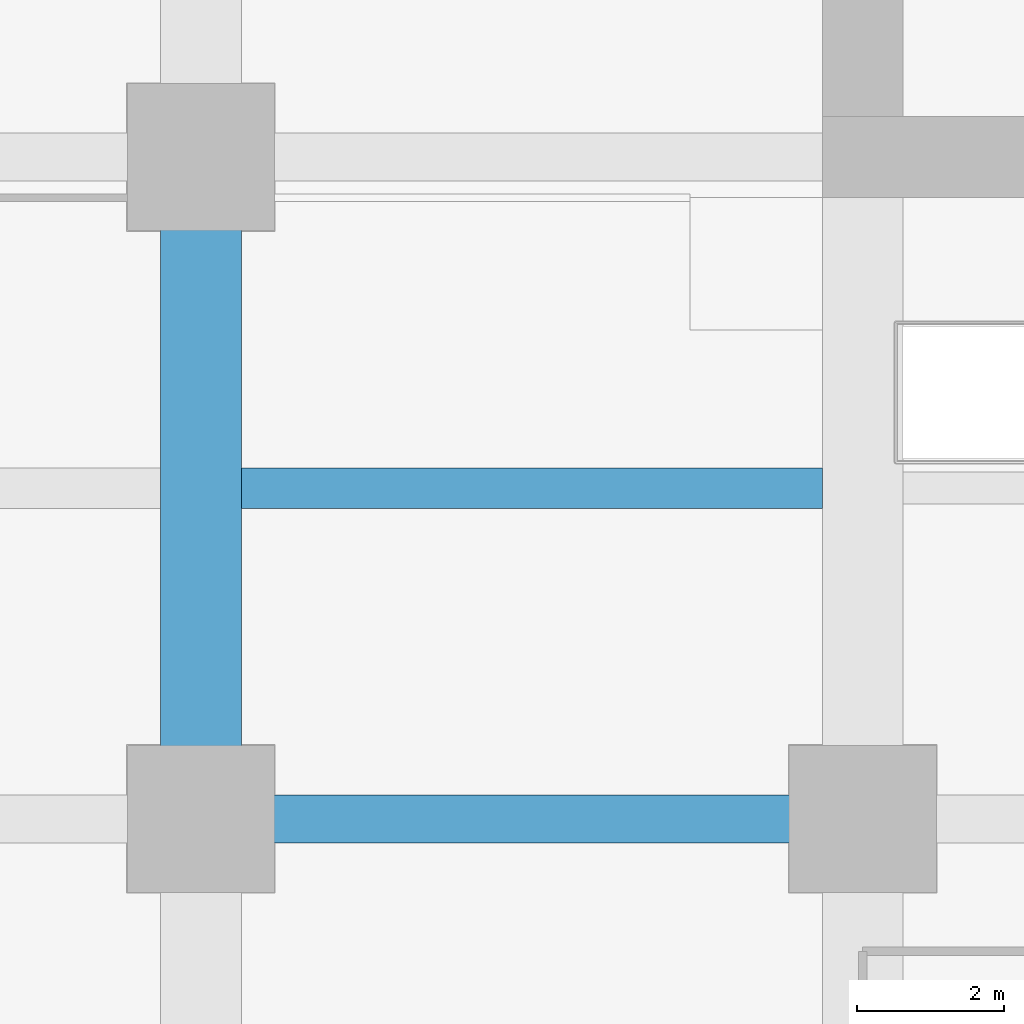
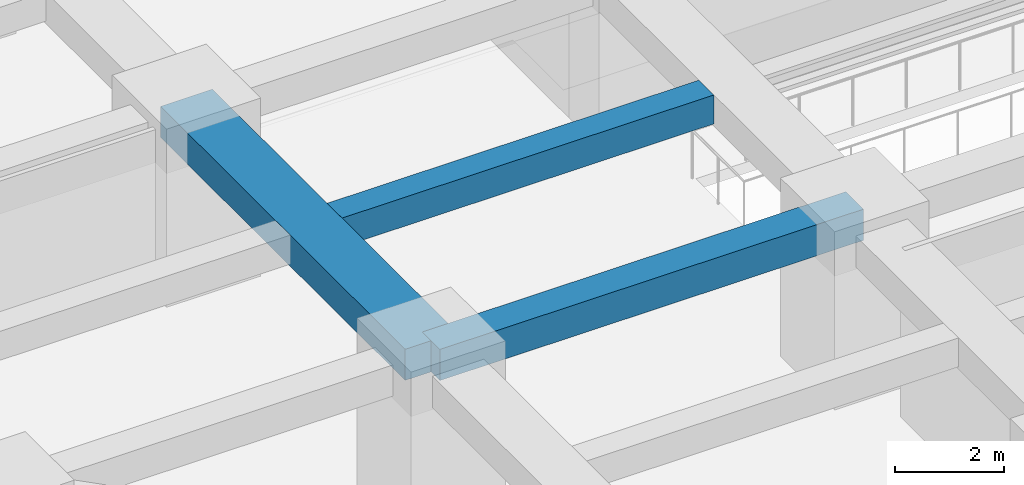
# One storey, part 5 of 39: 3 beams.
"""IFC4 building model written with IfcOpenShell, lengths in metres."""

from ifc_helpers import new_model, si_unit, direction, frame, origin, origin_2d, place, context, subcontext, project, spatial, rectangle, extrude, material, material_profile, profile_set, type_object, element, save


model = new_model("IFC4")

# Units and contexts
model_context = context("Model", 3, precision=1e-05, world=origin(), true_north=direction((0.0, 1.0)))
body_context = subcontext(model_context, "Body", "Model", "MODEL_VIEW")
ifc_project = project(units=[si_unit("LENGTHUNIT", "METRE"), si_unit("AREAUNIT", "SQUARE_METRE"), si_unit("VOLUMEUNIT", "CUBIC_METRE"), si_unit("PLANEANGLEUNIT", "RADIAN"), si_unit("MASSUNIT", "GRAM", prefix="KILO")], contexts=[model_context])

# Site, building, storey
site_placement = place(None, origin())
site = spatial("IfcSite", under=ifc_project, at=site_placement, CompositionType="ELEMENT")
building_placement = place(site_placement, origin())
building = spatial("IfcBuilding", under=site, at=building_placement, Name="Zorevar Civic Tower", CompositionType="ELEMENT")
storey_placement = place(building_placement, frame((0.0, 0.0, 121.0)))
storey = spatial("IfcBuildingStorey", under=building, at=storey_placement, Name="L29", CompositionType="ELEMENT", Elevation=121.0)

# Beams
ifc_material_1 = material(Name="Concrete C50/60", Category="concrete")
ifc_material_profile_1 = material_profile(ifc_material_1, rectangle(XDim=1.10009765625, YDim=0.699951171875, at=origin_2d()), Name="RC 1100x700")
ifc_profile_set_1 = profile_set([ifc_material_profile_1], Name="Concrete C50/60")
beam_type_1 = type_object("IfcBeamType", Name="Beam RC 1100x700", PredefinedType="BEAM", material=ifc_profile_set_1)
beam_1_placement = place(storey_placement, frame((9.0, 9.0, 3.39990234375), z_axis=(0.0, 1.0, 0.0), x_axis=(-1.0, 0.0, 0.0)))
element("IfcBeam", 1, at=beam_1_placement, inside=storey, type_object=beam_type_1, Name="Girder L30", PredefinedType="BEAM", context=body_context, shape_type="SweptSolid", body=[
    extrude(rectangle(XDim=1.10009765625, YDim=0.699951171875, at=origin_2d()), origin(), (0.0, 0.0, 1.0), 9.0),
])
ifc_material_2 = material(Name="Concrete C50/60", Category="concrete")
ifc_material_profile_2 = material_profile(ifc_material_2, rectangle(XDim=0.550048828125, YDim=0.64990234375, at=origin_2d()), Name="RC 550x650")
ifc_profile_set_2 = profile_set([ifc_material_profile_2], Name="Concrete C50/60")
beam_type_2 = type_object("IfcBeamType", Name="Beam RC 550x650", PredefinedType="BEAM", material=ifc_profile_set_2)
beam_2_placement = place(storey_placement, frame((9.550048828125, 13.5, 3.425048828125), z_axis=(1.0, 0.0, 0.0), x_axis=(0.0, 1.0, 0.0)))
element("IfcBeam", 2, at=beam_2_placement, inside=storey, type_object=beam_type_2, Name="Secondary beam L30", PredefinedType="BEAM", context=body_context, shape_type="SweptSolid", body=[
    extrude(rectangle(XDim=0.550048828125, YDim=0.64990234375, at=origin_2d()), origin(), (0.0, 0.0, 1.0), 7.89990234375),
])
ifc_material_3 = material(Name="Concrete C50/60", Category="concrete")
ifc_material_profile_3 = material_profile(ifc_material_3, rectangle(XDim=0.64990234375, YDim=0.699951171875, at=origin_2d()), Name="RC 650x700")
ifc_profile_set_3 = profile_set([ifc_material_profile_3], Name="Concrete C50/60")
beam_type_3 = type_object("IfcBeamType", Name="Beam RC 650x700", PredefinedType="BEAM", material=ifc_profile_set_3)
beam_3_placement = place(storey_placement, frame((9.0, 9.0, 3.39990234375), z_axis=(1.0, 0.0, 0.0), x_axis=(0.0, 1.0, 0.0)))
element("IfcBeam", 3, at=beam_3_placement, inside=storey, type_object=beam_type_3, Name="Girder L30", PredefinedType="BEAM", context=body_context, shape_type="SweptSolid", body=[
    extrude(rectangle(XDim=0.64990234375, YDim=0.699951171875, at=origin_2d()), origin(), (0.0, 0.0, 1.0), 9.0),
])

save(model, "model.ifc")
